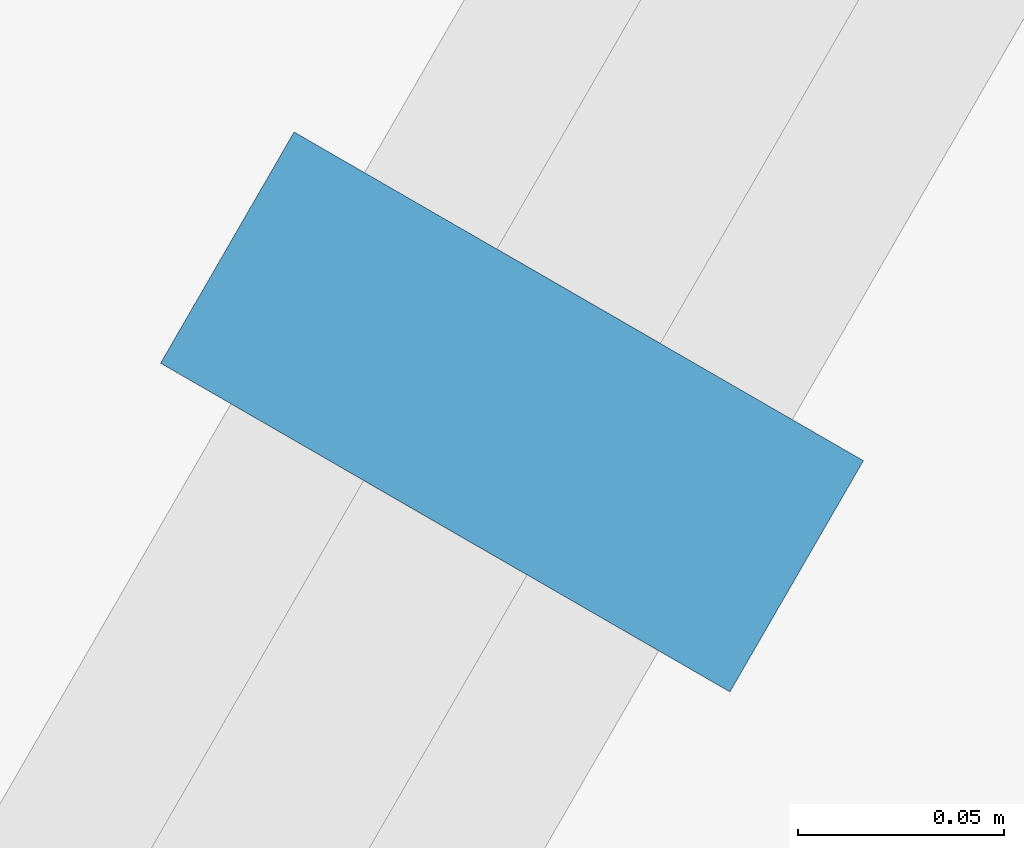
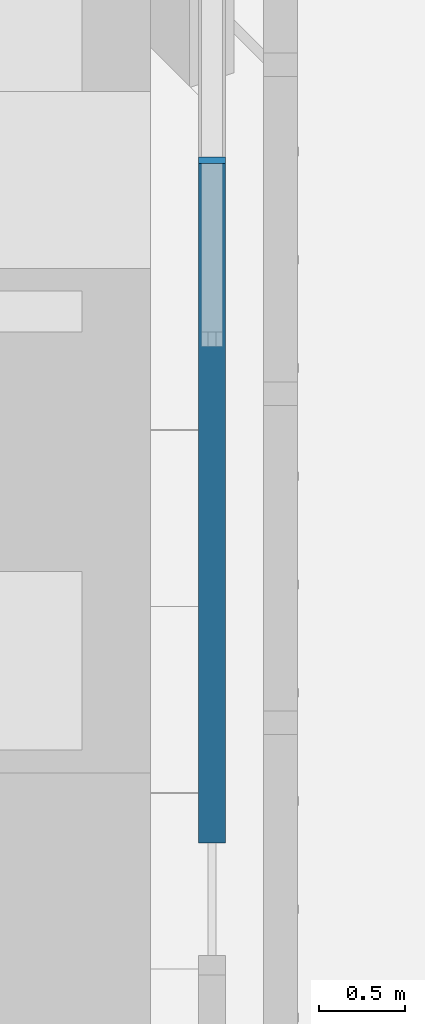
# One storey, part 116 of 228: 1 member, 1 element without a shape of its own.
"""IFC4 building model written with IfcOpenShell, lengths in metres."""

from ifc_helpers import new_model, si_unit, direction, frame, origin, origin_2d, place, context, subcontext, project, spatial, rectangle, extrude, material, material_profile, profile_set, type_object, element, aggregate, save


model = new_model("IFC4")

# Units and contexts
model_context = context("Model", 3, precision=1e-05, world=origin(), true_north=direction((0.0, 1.0)))
body_context = subcontext(model_context, "Body", "Model", "MODEL_VIEW")
ifc_project = project(units=[si_unit("LENGTHUNIT", "METRE"), si_unit("AREAUNIT", "SQUARE_METRE"), si_unit("VOLUMEUNIT", "CUBIC_METRE"), si_unit("PLANEANGLEUNIT", "RADIAN"), si_unit("MASSUNIT", "GRAM", prefix="KILO")], contexts=[model_context])

# Site, building, storey
site_placement = place(None, origin())
site = spatial("IfcSite", under=ifc_project, at=site_placement, CompositionType="ELEMENT")
building_placement = place(site_placement, origin())
building = spatial("IfcBuilding", under=site, at=building_placement, Name="Sandreach Pilgrim Tower", CompositionType="ELEMENT")
storey_placement = place(building_placement, frame((0.0, 0.0, 178.199951171875)))
storey = spatial("IfcBuildingStorey", under=building, at=storey_placement, Name="L44", CompositionType="ELEMENT", Elevation=178.199951171875)

# Curtain wall, member
ifc_material_1 = material(Name="Aluminium framed curtain wall", Category="aluminium")
curtain_wall_type = type_object("IfcCurtainWallType", Name="Upper hotel tower curtain wall", PredefinedType="NOTDEFINED", material=ifc_material_1)
curtain_wall_placement = place(storey_placement, origin())
curtain_wall = element("IfcCurtainWall", 1, at=curtain_wall_placement, inside=storey, type_object=curtain_wall_type, Name="CW-3 L44 SE", PredefinedType="NOTDEFINED")
ifc_material_2 = material(Name="Aluminium extrusion", Category="aluminium")
ifc_material_profile = material_profile(ifc_material_2, rectangle(XDim=0.06494140625, YDim=0.159912109375, at=origin_2d()), Name="CW-3M 65X160")
ifc_profile_set = profile_set([ifc_material_profile], Name="Aluminium extrusion")
member_type = type_object("IfcMemberType", Name="CW-3 mullion", PredefinedType="MULLION", material=ifc_profile_set)
member_placement = place(storey_placement, frame((23.15576171875, -2.21337890625, 0.0), z_axis=(0.0, 0.0, 1.0), x_axis=(-0.5, -0.866025403784, 0.0)))
member = element("IfcMember", 2, at=member_placement, type_object=member_type, Name="CW-3 mullion 3", PredefinedType="MULLION", context=body_context, shape_type="SweptSolid", body=[
    extrude(rectangle(XDim=0.06494140625, YDim=0.159912109375, at=origin_2d()), origin(), (0.0, 0.0, 1.0), 4.840087890625),
])
aggregate(curtain_wall, [member])

save(model, "model.ifc")
